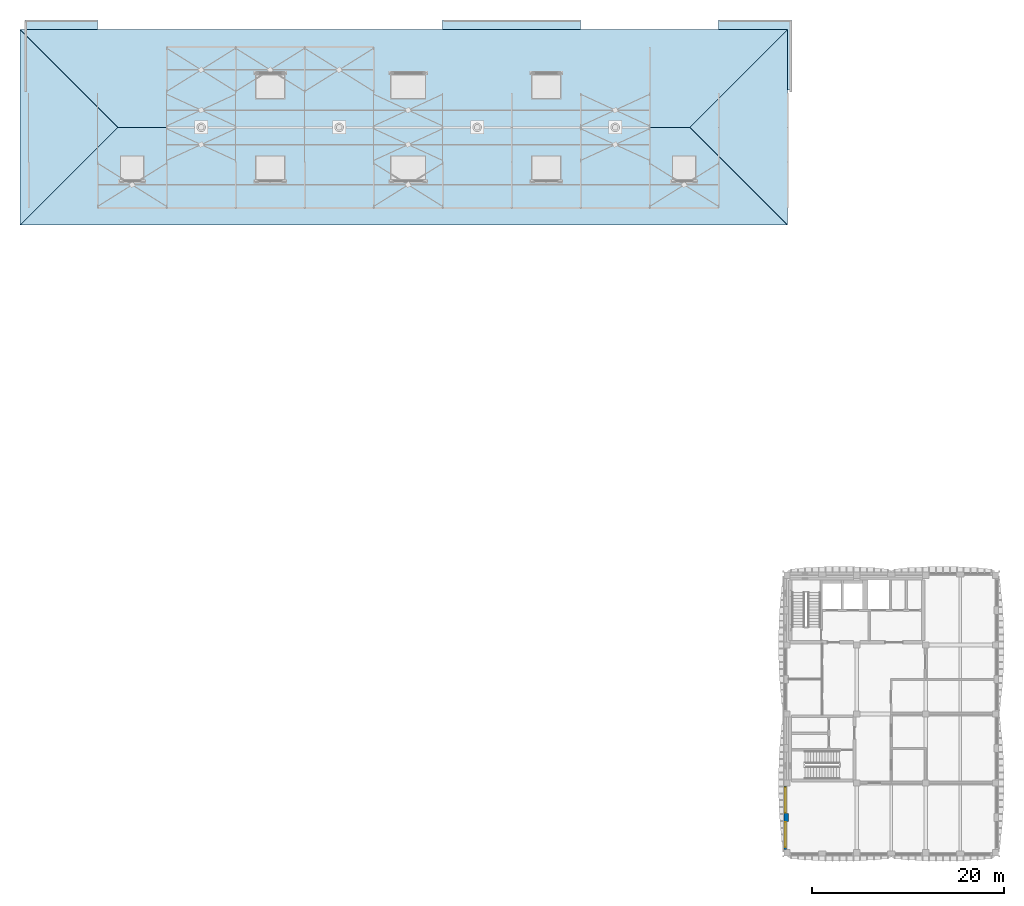
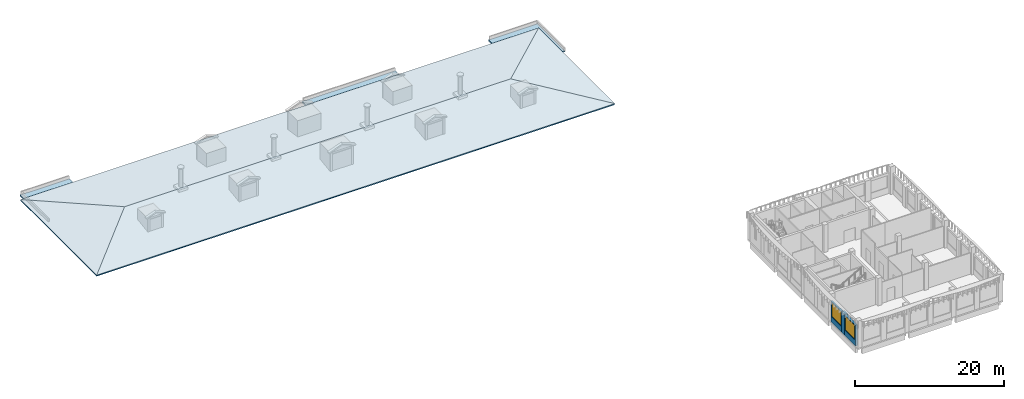
# One storey, part 3 of 24: 7 slabs, 3 walls, 2 windows, 2 openings.
"""IFC4 building model written with IfcOpenShell, lengths in metres."""

from ifc_helpers import new_model, si_unit, direction, frame, frame_2d, origin, place, context, subcontext, project, spatial, polyline, rectangle, outline, extrude, material, layer, layer_set, type_object, element, fill, save


model = new_model("IFC4")

# Units and contexts
model_context = context("Model", 3, precision=1e-05, world=origin(), true_north=direction((0.0, 1.0)))
body_context = subcontext(model_context, "Body", "Model", "MODEL_VIEW")
ifc_project = project(units=[si_unit("LENGTHUNIT", "METRE"), si_unit("AREAUNIT", "SQUARE_METRE"), si_unit("VOLUMEUNIT", "CUBIC_METRE"), si_unit("PLANEANGLEUNIT", "RADIAN"), si_unit("MASSUNIT", "GRAM", prefix="KILO")], contexts=[model_context])

# Site, building, storey
site_placement = place(None, origin())
site = spatial("IfcSite", under=ifc_project, at=site_placement, CompositionType="ELEMENT")
building_placement = place(site_placement, origin())
building = spatial("IfcBuilding", under=site, at=building_placement, Name="Ussher Court Research Institute", CompositionType="ELEMENT")
storey_placement = place(building_placement, frame((0.0, 0.0, 32.39990234375)))
storey = spatial("IfcBuildingStorey", under=building, at=storey_placement, Name="L07", CompositionType="ELEMENT", Elevation=32.39990234375)

# Slabs
ifc_material_1 = material(Name="Concrete C35/45", Category="concrete")
ifc_layer_1 = layer(ifc_material_1, 0.199951171875)
ifc_layer_set_1 = layer_set([ifc_layer_1], Name="Concrete C35/45")
slab_type_1 = type_object("IfcSlabType", Name="Core roof slab 200 RC", PredefinedType="ROOF", material=ifc_layer_set_1)
slab_1_placement = place(storey_placement, frame((0.0, 0.0, -0.199951171875)))
element("IfcSlab", 1, at=slab_1_placement, inside=storey, type_object=slab_type_1, Name="Core roof slab", PredefinedType="ROOF", context=body_context, shape_type="SweptSolid", body=[
    extrude(outline(polyline([(10.199951171875, 89.800048828125), (2.60009765625, 89.800048828125), (2.60009765625, 90.800048828125), (10.199951171875, 90.800048828125), (10.199951171875, 89.800048828125)])), origin(), (0.0, 0.0, 1.0), 0.199951171875),
])
slab_2_placement = place(storey_placement, frame((0.0, 0.0, -0.199951171875)))
element("IfcSlab", 2, at=slab_2_placement, inside=storey, type_object=slab_type_1, Name="Core roof slab", PredefinedType="ROOF", context=body_context, shape_type="SweptSolid", body=[
    extrude(outline(polyline([(60.60009765625, 90.800048828125), (60.60009765625, 89.800048828125), (46.199951171875, 89.800048828125), (46.199951171875, 90.800048828125), (60.60009765625, 90.800048828125)])), origin(), (0.0, 0.0, 1.0), 0.199951171875),
])
slab_3_placement = place(storey_placement, frame((0.0, 0.0, -0.199951171875)))
element("IfcSlab", 3, at=slab_3_placement, inside=storey, type_object=slab_type_1, Name="Core roof slab", PredefinedType="ROOF", context=body_context, shape_type="SweptSolid", body=[
    extrude(outline(polyline([(82.60009765625, 83.47509765625), (82.199951171875, 83.47509765625), (82.199951171875, 89.800048828125), (75.0, 89.800048828125), (75.0, 90.800048828125), (82.60009765625, 90.800048828125), (82.60009765625, 83.47509765625)])), origin(), (0.0, 0.0, 1.0), 0.199951171875),
])
ifc_material_2 = material(Name="Concrete C35/45", Category="concrete")
ifc_layer_2 = layer(ifc_material_2, 0.199951171875)
ifc_layer_set_2 = layer_set([ifc_layer_2], Name="Concrete C35/45")
slab_type_2 = type_object("IfcSlabType", Name="Hipped roof plate 200", PredefinedType="ROOF", material=ifc_layer_set_2)
slab_4_placement = place(storey_placement, frame((2.10009765625, 69.39990234375, 0.0), z_axis=(0.0, -0.139177840785, 0.990267402591), x_axis=(1.0, 0.0, 0.0)))
element("IfcSlab", 4, at=slab_4_placement, inside=storey, type_object=slab_type_2, Name="HP200 V5 L07-01", PredefinedType="ROOF", context=body_context, shape_type="SweptSolid", body=[
    extrude(outline(polyline([(0.0, 0.0), (80.099853515625, 0.0), (69.89990234375, 10.300445400718653), (10.199951171875, 10.300445400718653), (0.0, 0.0)])), origin(), (0.0, 0.0, -1.0), 0.199951171875),
])
slab_5_placement = place(storey_placement, frame((82.199951171875, 69.39990234375, 0.0), z_axis=(0.139181107542, 0.0, 0.990266943457), x_axis=(0.0, 1.0, 0.0)))
element("IfcSlab", 5, at=slab_5_placement, inside=storey, type_object=slab_type_2, Name="HP200 V5 L07-02", PredefinedType="ROOF", context=body_context, shape_type="SweptSolid", body=[
    extrude(outline(polyline([(0.0, 0.0), (20.400146484375, 0.0), (10.2001953125, 10.300203636272114), (0.0, 0.0)])), origin(), (0.0, 0.0, -1.0), 0.199951171875),
])
slab_6_placement = place(storey_placement, frame((82.199951171875, 89.800048828125, 0.0), z_axis=(0.0, 0.139181107542, 0.990266943457), x_axis=(-1.0, 0.0, 0.0)))
element("IfcSlab", 6, at=slab_6_placement, inside=storey, type_object=slab_type_2, Name="HP200 V5 L07-03", PredefinedType="ROOF", context=body_context, shape_type="SweptSolid", body=[
    extrude(outline(polyline([(0.0, 0.0), (80.099853515625, 0.0), (69.89990234375, 10.300203636272114), (10.199951171875, 10.300203636272114), (0.0, 0.0)])), origin(), (0.0, 0.0, -1.0), 0.199951171875),
])
slab_7_placement = place(storey_placement, frame((2.10009765625, 89.800048828125, 0.0), z_axis=(-0.139181107542, 0.0, 0.990266943457), x_axis=(0.0, -1.0, 0.0)))
element("IfcSlab", 7, at=slab_7_placement, inside=storey, type_object=slab_type_2, Name="HP200 V5 L07-04", PredefinedType="ROOF", context=body_context, shape_type="SweptSolid", body=[
    extrude(outline(polyline([(0.0, 0.0), (20.400146484375, 0.0), (10.199951171875, 10.300203636272114), (0.0, 0.0)])), origin(), (0.0, 0.0, -1.0), 0.199951171875),
])

# Wall, opening, window
ifc_material_3 = material(Name="Blockwork with cream render", Category="masonry")
ifc_layer_3 = layer(ifc_material_3, 0.300048828125)
ifc_layer_set_3 = layer_set([ifc_layer_3], Name="Blockwork with cream render")
wall_type_1 = type_object("IfcWallType", Name="External wall 300 cream render", PredefinedType="SOLIDWALL", material=ifc_layer_set_3)
wall_1_placement = place(storey_placement, frame((81.949951171875, 4.25, 0.0), z_axis=(0.0, 0.0, 1.0), x_axis=(0.0, 1.0, 0.0)))
wall_1 = element("IfcWall", 8, at=wall_1_placement, inside=storey, type_object=wall_type_1, Name="External wall EW1 L07", PredefinedType="SOLIDWALL", context=body_context, shape_type="SweptSolid", body=[
    extrude(rectangle(XDim=2.949951171875, YDim=0.300048828125, at=frame_2d((1.47509765625, 0.0))), origin(), (0.0, 0.0, 1.0), 3.400146484375),
])
opening_1_placement = place(wall_1_placement, frame((0.25, 0.0, 0.89990234375)))
opening_1 = element("IfcOpeningElement", 9, at=opening_1_placement, cuts=wall_1, Name="Opening W01", PredefinedType="OPENING", context=body_context, shape_type="SweptSolid", body=[
    extrude(rectangle(XDim=2.60009765625, YDim=2.39990234375, at=frame_2d((1.300048828125, 1.199951171875))), frame((0.0, 0.16015625, 0.0), z_axis=(0.0, -1.0, 0.0), x_axis=(1.0, 0.0, 0.0)), (0.0, 0.0, 1.0), 0.320068359375),
])
ifc_material_4 = material(Name="Bronze anodised aluminium with double glazing", Category="aluminium")
window_type = type_object("IfcWindowType", Name="Laboratory bay window 2600x2400", PartitioningType="DOUBLE_PANEL_VERTICAL", PredefinedType="WINDOW", material=ifc_material_4)
window_1_placement = place(opening_1_placement, origin())
window_1 = element("IfcWindow", 10, at=window_1_placement, inside=storey, type_object=window_type, Name="Window W01 L07", OverallHeight=2.39990234375, OverallWidth=2.60009765625, PartitioningType="SINGLE_PANEL", PredefinedType="WINDOW", context=body_context, shape_type="SweptSolid", body=[
    extrude(rectangle(XDim=2.60009765625, YDim=2.39990234375, at=frame_2d((1.300048828125, 1.199951171875))), frame((0.0, 0.030029296875, 0.0), z_axis=(0.0, -1.0, 0.0), x_axis=(1.0, 0.0, 0.0)), (0.0, 0.0, 1.0), 0.06005859375),
])
fill(opening_1, window_1)

wall_2_placement = place(storey_placement, frame((81.949951171875, 8.0, 0.0), z_axis=(0.0, 0.0, 1.0), x_axis=(0.0, 1.0, 0.0)))
wall_2 = element("IfcWall", 11, at=wall_2_placement, inside=storey, type_object=wall_type_1, Name="External wall EW1 L07", PredefinedType="SOLIDWALL", context=body_context, shape_type="SweptSolid", body=[
    extrude(rectangle(XDim=2.875, YDim=0.300048828125, at=frame_2d((1.4375, 0.0))), origin(), (0.0, 0.0, 1.0), 3.400146484375),
])
opening_2_placement = place(wall_2_placement, frame((0.10009765625, 0.0, 0.89990234375)))
opening_2 = element("IfcOpeningElement", 12, at=opening_2_placement, cuts=wall_2, Name="Opening W01", PredefinedType="OPENING", context=body_context, shape_type="SweptSolid", body=[
    extrude(rectangle(XDim=2.60009765625, YDim=2.39990234375, at=frame_2d((1.300048828125, 1.199951171875))), frame((0.0, 0.16015625, 0.0), z_axis=(0.0, -1.0, 0.0), x_axis=(1.0, 0.0, 0.0)), (0.0, 0.0, 1.0), 0.320068359375),
])
window_2_placement = place(opening_2_placement, origin())
window_2 = element("IfcWindow", 13, at=window_2_placement, inside=storey, type_object=window_type, Name="Window W01 L07", OverallHeight=2.39990234375, OverallWidth=2.60009765625, PartitioningType="SINGLE_PANEL", PredefinedType="WINDOW", context=body_context, shape_type="SweptSolid", body=[
    extrude(rectangle(XDim=2.60009765625, YDim=2.39990234375, at=frame_2d((1.300048828125, 1.199951171875))), frame((0.0, 0.030029296875, 0.0), z_axis=(0.0, -1.0, 0.0), x_axis=(1.0, 0.0, 0.0)), (0.0, 0.0, 1.0), 0.06005859375),
])
fill(opening_2, window_2)

# Wall
ifc_material_5 = material(Name="Blockwork with cream render", Category="masonry")
ifc_layer_4 = layer(ifc_material_5, 0.5)
ifc_layer_set_4 = layer_set([ifc_layer_4], Name="Blockwork with cream render")
wall_type_2 = type_object("IfcWallType", Name="Pier 800x500 cream render", PredefinedType="SOLIDWALL", material=ifc_layer_set_4)
wall_3_placement = place(storey_placement, frame((82.050048828125, 7.199951171875, 0.0), z_axis=(0.0, 0.0, 1.0), x_axis=(0.0, 1.0, 0.0)))
element("IfcWall", 14, at=wall_3_placement, inside=storey, type_object=wall_type_2, Name="Pier PR1 L07", PredefinedType="SOLIDWALL", context=body_context, shape_type="SweptSolid", body=[
    extrude(rectangle(XDim=0.800048828125, YDim=0.5, at=frame_2d((0.39990234375, 0.0))), origin(), (0.0, 0.0, 1.0), 3.400146484375),
])

save(model, "model.ifc")
